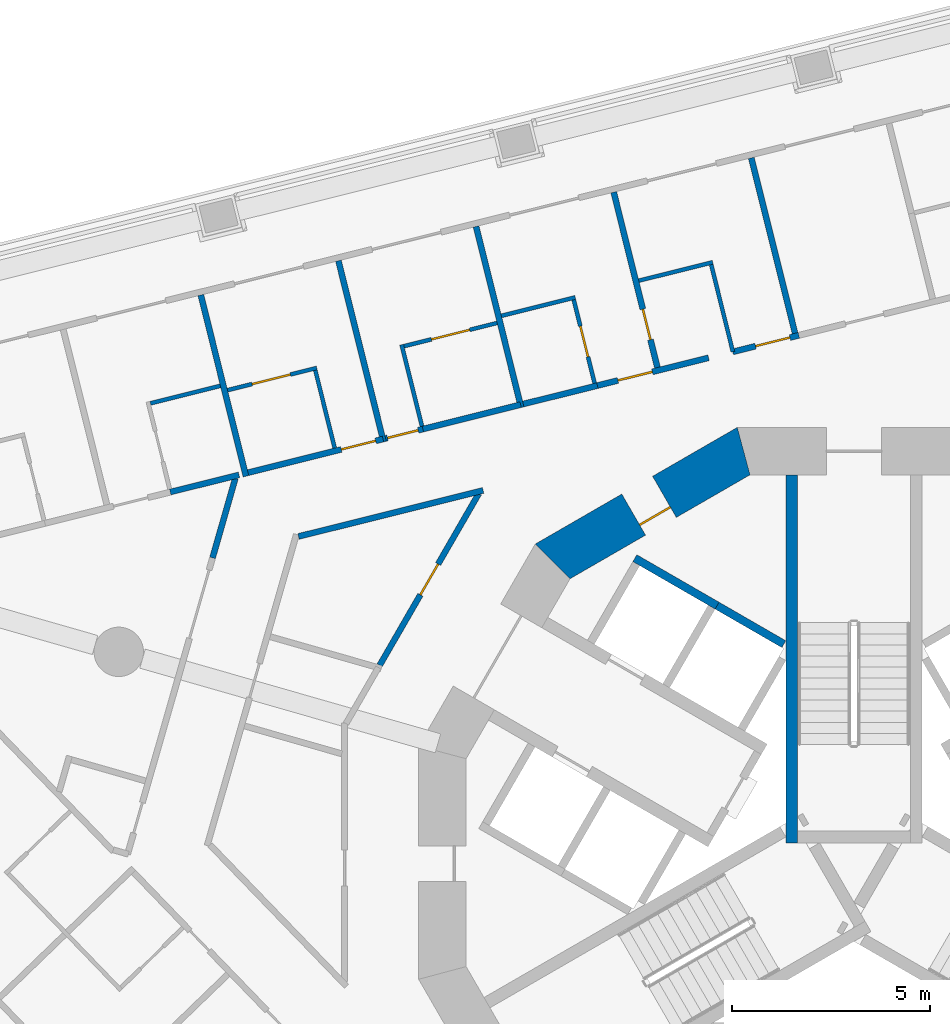
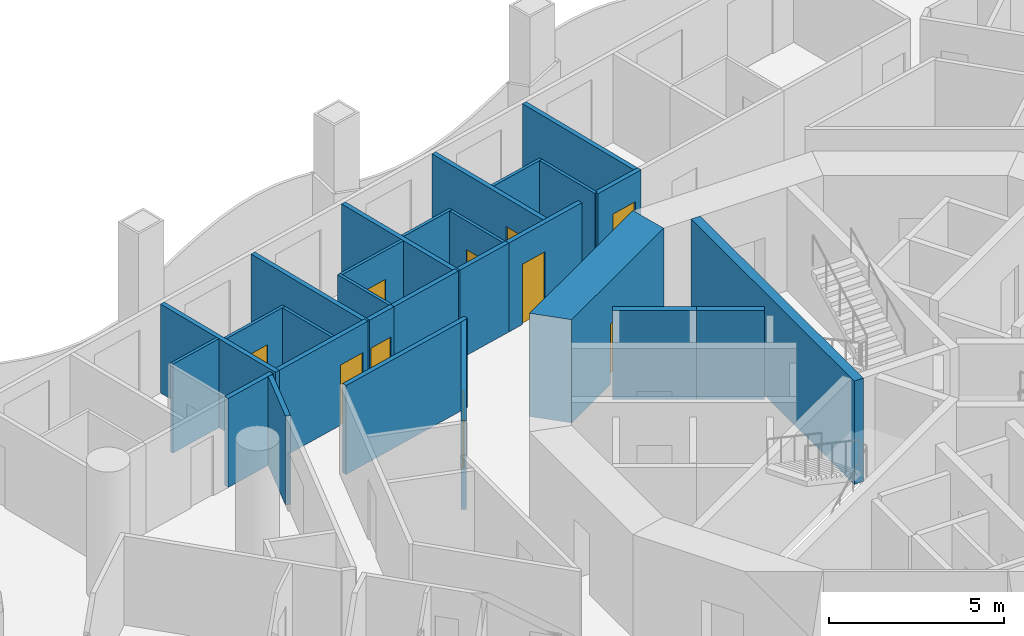
# One storey, part 8 of 20: 28 walls, 10 doors, 10 openings.
"""IFC4 building model written with IfcOpenShell, lengths in metres."""

from ifc_helpers import new_model, si_unit, direction, frame, frame_2d, origin, place, context, subcontext, project, spatial, polyline, rectangle, outline, extrude, material, layer, layer_set, type_object, element, fill, save


model = new_model("IFC4")

# Units and contexts
model_context = context("Model", 3, precision=1e-05, world=origin(), true_north=direction((0.0, 1.0)))
body_context = subcontext(model_context, "Body", "Model", "MODEL_VIEW")
ifc_project = project(units=[si_unit("LENGTHUNIT", "METRE"), si_unit("AREAUNIT", "SQUARE_METRE"), si_unit("VOLUMEUNIT", "CUBIC_METRE"), si_unit("PLANEANGLEUNIT", "RADIAN"), si_unit("MASSUNIT", "GRAM", prefix="KILO")], contexts=[model_context])

# Site, building, storey
site_placement = place(None, origin())
site = spatial("IfcSite", under=ifc_project, at=site_placement, CompositionType="ELEMENT")
building_placement = place(site_placement, origin())
building = spatial("IfcBuilding", under=site, at=building_placement, Name="Trine Commons Tower", CompositionType="ELEMENT")
storey_placement = place(building_placement, frame((0.0, 0.0, 116.10009765625)))
storey = spatial("IfcBuildingStorey", under=building, at=storey_placement, Name="L29", CompositionType="ELEMENT", Elevation=116.10009765625)

# Wall, opening, door
ifc_material_1 = material(Name="Concrete C70/85", Category="concrete")
ifc_layer_1 = layer(ifc_material_1, 1.199951171875)
ifc_layer_set_1 = layer_set([ifc_layer_1], Name="Concrete C70/85")
wall_type_1 = type_object("IfcWallType", Name="RC shear wall 1200 mm, C70/85", PredefinedType="SHEAR", material=ifc_layer_set_1)
wall_1_placement = place(storey_placement, frame((77.349609375, 72.991943359375, 0.0), z_axis=(0.0, 0.0, 1.0), x_axis=(-0.866037463336, -0.499979111662, 0.0)))
wall_1 = element("IfcWall", 1, at=wall_1_placement, inside=storey, type_object=wall_type_1, Name="Core wall CWC-05 L29", PredefinedType="SHEAR", context=body_context, shape_type="SweptSolid", body=[
    extrude(outline(polyline([(0.0, -0.60009765625), (5.901123046875, -0.60009765625), (5.57958984375, 0.60009765625), (0.321533203125, 0.60009765625), (0.0, -0.60009765625)])), origin(), (0.0, 0.0, 1.0), 3.599853515625),
])
opening_1_placement = place(wall_1_placement, frame((2.474853515625, 0.0, 0.0)))
opening_1 = element("IfcOpeningElement", 2, at=opening_1_placement, cuts=wall_1, Name="Opening K04.13", PredefinedType="OPENING", context=body_context, shape_type="SweptSolid", body=[
    extrude(rectangle(XDim=0.89990234375, YDim=2.10009765625, at=frame_2d((0.449951171875, 1.050048828125))), frame((0.0, 0.60986328125, 0.0), z_axis=(0.0, -1.0, 0.0), x_axis=(1.0, 0.0, 0.0)), (0.0, 0.0, 1.0), 1.219970703125),
])
ifc_material_2 = material(Name="Steel door leaf, fire-rated", Category="steel")
door_type_1 = type_object("IfcDoorType", Name="Core room door, single leaf 900 x 2100, FD30S", OperationType="SINGLE_SWING_LEFT", PredefinedType="DOOR", material=ifc_material_2)
door_1_placement = place(opening_1_placement, origin())
door_1 = element("IfcDoor", 3, at=door_1_placement, inside=storey, type_object=door_type_1, Name="Door to Comms room L29", OperationType="SINGLE_SWING_LEFT", OverallHeight=2.10009765625, OverallWidth=0.89990234375, PredefinedType="DOOR", context=body_context, shape_type="SweptSolid", body=[
    extrude(rectangle(XDim=0.89990234375, YDim=2.10009765625, at=frame_2d((0.449951171875, 1.050048828125))), frame((0.0, 0.3251953125, 0.0), z_axis=(0.0, -1.0, 0.0), x_axis=(1.0, 0.0, 0.0)), (0.0, 0.0, 1.0), 0.050048828125),
])
fill(opening_1, door_1)

# Walls
ifc_layer_2 = layer(ifc_material_1, 0.300048828125)
ifc_layer_set_2 = layer_set([ifc_layer_2], Name="Concrete C70/85")
wall_type_2 = type_object("IfcWallType", Name="RC shear wall 300 mm, C70/85", PredefinedType="SHEAR", material=ifc_layer_set_2)
wall_2_placement = place(storey_placement, frame((78.425048828125, 63.0009765625, 0.0), z_axis=(0.0, 0.0, 1.0), x_axis=(0.0, 1.0, 0.0)))
element("IfcWall", 4, at=wall_2_placement, inside=storey, type_object=wall_type_2, Name="Core cross wall SWA-08 L29", PredefinedType="SHEAR", context=body_context, shape_type="SweptSolid", body=[
    extrude(rectangle(XDim=9.31103515625, YDim=0.300048828125, at=frame_2d((4.655517578125, 0.0))), origin(), (0.0, 0.0, 1.0), 3.599853515625),
])
ifc_material_3 = material(Name="Fire-rated gypsum shaft wall system")
ifc_layer_3 = layer(ifc_material_3, 0.199951171875)
ifc_layer_set_3 = layer_set([ifc_layer_3], Name="Fire-rated gypsum shaft wall system")
wall_type_3 = type_object("IfcWallType", Name="Shaft wall 200 mm, EI 120", PredefinedType="PARTITIONING", material=ifc_layer_set_3)
wall_3_placement = place(storey_placement, frame((76.5380859375, 69.001953125, 0.0), z_axis=(0.0, 0.0, 1.0), x_axis=(-0.866202511239, 0.499693115345, 0.0)))
element("IfcWall", 5, at=wall_3_placement, inside=storey, type_object=wall_type_3, Name="Shaft wall L29", PredefinedType="PARTITIONING", context=body_context, shape_type="SweptSolid", body=[
    extrude(rectangle(XDim=2.4013671875, YDim=0.199951171875, at=frame_2d((1.20068359375, 0.0))), origin(), (0.0, 0.0, 1.0), 3.099853515625),
])
wall_4_placement = place(storey_placement, frame((78.22509765625, 68.028076171875, 0.0), z_axis=(0.0, 0.0, 1.0), x_axis=(-0.866052014814, 0.499953905513, 0.0)))
element("IfcWall", 6, at=wall_4_placement, inside=storey, type_object=wall_type_3, Name="Shaft wall L29", PredefinedType="PARTITIONING", context=body_context, shape_type="SweptSolid", body=[
    extrude(rectangle(XDim=1.947998046875, YDim=0.199951171875, at=frame_2d((0.97412109375, 0.0))), origin(), (0.0, 0.0, 1.0), 3.099853515625),
])
ifc_material_4 = material(Name="Gypsum plasterboard on steel stud", Category="steel")
ifc_layer_4 = layer(ifc_material_4, 0.14990234375)
ifc_layer_set_4 = layer_set([ifc_layer_4], Name="Gypsum plasterboard on steel stud")
wall_type_4 = type_object("IfcWallType", Name="Unit and corridor wall 150 mm, EI 60", PredefinedType="PARTITIONING", material=ifc_layer_set_4)
wall_5_placement = place(storey_placement, frame((62.705078125, 71.8759765625, 0.0), z_axis=(0.0, 0.0, 1.0), x_axis=(0.970318656337, 0.241829909573, 0.0)))
element("IfcWall", 7, at=wall_5_placement, inside=storey, type_object=wall_type_4, Name="Partition 021", PredefinedType="PARTITIONING", context=body_context, shape_type="SweptSolid", body=[
    extrude(rectangle(XDim=1.791015625, YDim=0.14990234375, at=frame_2d((0.8955078125, 0.0))), origin(), (0.0, 0.0, 1.0), 3.099853515625),
])
wall_6_placement = place(storey_placement, frame((63.476806640625, 76.858154296875, 0.0), z_axis=(0.0, 0.0, 1.0), x_axis=(0.242049130854, -0.970263994103, 0.0)))
element("IfcWall", 8, at=wall_6_placement, inside=storey, type_object=wall_type_4, Name="Partition 022", PredefinedType="PARTITIONING", context=body_context, shape_type="SweptSolid", body=[
    extrude(rectangle(XDim=4.723388671875, YDim=0.14990234375, at=frame_2d((2.36181640625, 0.0))), origin(), (0.0, 0.0, 1.0), 3.099853515625),
])
wall_7_placement = place(storey_placement, frame((63.77392578125, 70.2099609375, 0.0), z_axis=(0.0, 0.0, 1.0), x_axis=(0.275353680299, 0.961342993289, 0.0)))
element("IfcWall", 9, at=wall_7_placement, inside=storey, type_object=wall_type_4, Name="Partition 025", PredefinedType="PARTITIONING", context=body_context, shape_type="SweptSolid", body=[
    extrude(rectangle(XDim=2.08984375, YDim=0.14990234375, at=frame_2d((1.044921875, 0.0))), origin(), (0.0, 0.0, 1.0), 3.099853515625),
])

# Wall, opening, door
wall_8_placement = place(storey_placement, frame((64.6708984375, 72.3662109375, 0.0), z_axis=(0.0, 0.0, 1.0), x_axis=(0.97035426046, 0.241687006697, 0.0)))
wall_8 = element("IfcWall", 10, at=wall_8_placement, inside=storey, type_object=wall_type_4, Name="Partition 028", PredefinedType="PARTITIONING", context=body_context, shape_type="SweptSolid", body=[
    extrude(rectangle(XDim=3.520263671875, YDim=0.14990234375, at=frame_2d((1.76025390625, 0.0))), origin(), (0.0, 0.0, 1.0), 3.099853515625),
])
opening_2_placement = place(wall_8_placement, frame((2.429931640625, 0.0, 0.0)))
opening_2 = element("IfcOpeningElement", 11, at=opening_2_placement, cuts=wall_8, Name="Opening D-3C09", PredefinedType="OPENING", context=body_context, shape_type="SweptSolid", body=[
    extrude(rectangle(XDim=0.89990234375, YDim=2.10009765625, at=frame_2d((0.449951171875, 1.050048828125))), frame((0.0, 0.0849609375, 0.0), z_axis=(0.0, -1.0, 0.0), x_axis=(1.0, 0.0, 0.0)), (0.0, 0.0, 1.0), 0.169921875),
])
ifc_material_5 = material(Name="Timber fire door set", Category="wood")
door_type_2 = type_object("IfcDoorType", Name="Bedroom door 900 x 2100, FD30S", OperationType="NOTDEFINED", PredefinedType="DOOR", material=ifc_material_5)
door_2_placement = place(opening_2_placement, origin())
door_2 = element("IfcDoor", 12, at=door_2_placement, inside=storey, type_object=door_type_2, Name="Door D-3C09", OperationType="SINGLE_SWING_RIGHT", OverallHeight=2.10009765625, OverallWidth=0.89990234375, PredefinedType="DOOR", context=body_context, shape_type="SweptSolid", body=[
    extrude(rectangle(XDim=0.89990234375, YDim=2.10009765625, at=frame_2d((0.449951171875, 1.050048828125))), frame((0.0, 0.02490234375, 0.0), z_axis=(0.0, -1.0, 0.0), x_axis=(1.0, 0.0, 0.0)), (0.0, 0.0, 1.0), 0.050048828125),
])
fill(opening_2, door_2)

# Walls
wall_9_placement = place(storey_placement, frame((65.94677734375, 70.751220703125, 0.0), z_axis=(0.0, 0.0, 1.0), x_axis=(0.970300367674, 0.241903279206, 0.0)))
element("IfcWall", 13, at=wall_9_placement, inside=storey, type_object=wall_type_4, Name="Partition 031", PredefinedType="PARTITIONING", context=body_context, shape_type="SweptSolid", body=[
    extrude(rectangle(XDim=4.815185546875, YDim=0.14990234375, at=frame_2d((2.40771484375, 0.0))), origin(), (0.0, 0.0, 1.0), 3.099853515625),
])
wall_10_placement = place(storey_placement, frame((66.958740234375, 77.726318359375, 0.0), z_axis=(0.0, 0.0, 1.0), x_axis=(0.24185448203, -0.970312531879, 0.0)))
element("IfcWall", 14, at=wall_10_placement, inside=storey, type_object=wall_type_4, Name="Partition 036", PredefinedType="PARTITIONING", context=body_context, shape_type="SweptSolid", body=[
    extrude(rectangle(XDim=4.72314453125, YDim=0.14990234375, at=frame_2d((2.361572265625, 0.0))), origin(), (0.0, 0.0, 1.0), 3.099853515625),
])

# Wall, opening, door
wall_11_placement = place(storey_placement, frame((68.00244140625, 67.493896484375, 0.0), z_axis=(0.0, 0.0, 1.0), x_axis=(0.499945814907, 0.866056685303, 0.0)))
wall_11 = element("IfcWall", 15, at=wall_11_placement, inside=storey, type_object=wall_type_4, Name="Partition 040", PredefinedType="PARTITIONING", context=body_context, shape_type="SweptSolid", body=[
    extrude(rectangle(XDim=5.0146484375, YDim=0.14990234375, at=frame_2d((2.50732421875, 0.0))), origin(), (0.0, 0.0, 1.0), 3.099853515625),
])
opening_3_placement = place(wall_11_placement, frame((2.057373046875, 0.0, 0.0)))
opening_3 = element("IfcOpeningElement", 16, at=opening_3_placement, cuts=wall_11, Name="Opening D-3C39", PredefinedType="OPENING", context=body_context, shape_type="SweptSolid", body=[
    extrude(rectangle(XDim=0.89990234375, YDim=2.10009765625, at=frame_2d((0.449951171875, 1.050048828125))), frame((0.0, 0.0849609375, 0.0), z_axis=(0.0, -1.0, 0.0), x_axis=(1.0, 0.0, 0.0)), (0.0, 0.0, 1.0), 0.169921875),
])
door_type_3 = type_object("IfcDoorType", Name="Service door 900 x 2100, FD30S", OperationType="NOTDEFINED", PredefinedType="DOOR", material=ifc_material_5)
door_3_placement = place(opening_3_placement, origin())
door_3 = element("IfcDoor", 17, at=door_3_placement, inside=storey, type_object=door_type_3, Name="Door D-3C39", OperationType="SINGLE_SWING_LEFT", OverallHeight=2.10009765625, OverallWidth=0.89990234375, PredefinedType="DOOR", context=body_context, shape_type="SweptSolid", body=[
    extrude(rectangle(XDim=0.89990234375, YDim=2.10009765625, at=frame_2d((0.449951171875, 1.050048828125))), frame((0.0, 0.02490234375, 0.0), z_axis=(0.0, -1.0, 0.0), x_axis=(1.0, 0.0, 0.0)), (0.0, 0.0, 1.0), 0.050048828125),
])
fill(opening_3, door_3)

wall_12_placement = place(storey_placement, frame((68.15185546875, 73.233154296875, 0.0), z_axis=(0.0, 0.0, 1.0), x_axis=(0.970127725802, 0.242594714762, 0.0)))
wall_12 = element("IfcWall", 18, at=wall_12_placement, inside=storey, type_object=wall_type_4, Name="Partition 041", PredefinedType="PARTITIONING", context=body_context, shape_type="SweptSolid", body=[
    extrude(rectangle(XDim=0.97216796875, YDim=0.14990234375, at=frame_2d((0.486083984375, 0.0))), origin(), (0.0, 0.0, 1.0), 3.099853515625),
])
opening_4_placement = place(wall_12_placement, frame((0.050048828125, 0.0, 0.0)))
opening_4 = element("IfcOpeningElement", 19, at=opening_4_placement, cuts=wall_12, Name="Opening D-3C10", PredefinedType="OPENING", context=body_context, shape_type="SweptSolid", body=[
    extrude(rectangle(XDim=0.800048828125, YDim=2.10009765625, at=frame_2d((0.39990234375, 1.050048828125))), frame((0.0, 0.0849609375, 0.0), z_axis=(0.0, -1.0, 0.0), x_axis=(1.0, 0.0, 0.0)), (0.0, 0.0, 1.0), 0.169921875),
])
door_type_4 = type_object("IfcDoorType", Name="Bedroom door 800 x 2100, FD30S", OperationType="NOTDEFINED", PredefinedType="DOOR", material=ifc_material_5)
door_4_placement = place(opening_4_placement, origin())
door_4 = element("IfcDoor", 20, at=door_4_placement, inside=storey, type_object=door_type_4, Name="Door D-3C10", OperationType="SINGLE_SWING_LEFT", OverallHeight=2.10009765625, OverallWidth=0.800048828125, PredefinedType="DOOR", context=body_context, shape_type="SweptSolid", body=[
    extrude(rectangle(XDim=0.800048828125, YDim=2.10009765625, at=frame_2d((0.39990234375, 1.050048828125))), frame((0.0, 0.02490234375, 0.0), z_axis=(0.0, -1.0, 0.0), x_axis=(1.0, 0.0, 0.0)), (0.0, 0.0, 1.0), 0.050048828125),
])
fill(opening_4, door_4)

# Walls
wall_13_placement = place(storey_placement, frame((69.0869140625, 73.467041015625, 0.0), z_axis=(0.0, 0.0, 1.0), x_axis=(0.970293884901, 0.241929280832, 0.0)))
element("IfcWall", 21, at=wall_13_placement, inside=storey, type_object=wall_type_4, Name="Partition 045", PredefinedType="PARTITIONING", context=body_context, shape_type="SweptSolid", body=[
    extrude(rectangle(XDim=2.55810546875, YDim=0.14990234375, at=frame_2d((1.279052734375, 0.0))), origin(), (0.0, 0.0, 1.0), 3.099853515625),
])
wall_14_placement = place(storey_placement, frame((70.440673828125, 78.59423828125, 0.0), z_axis=(0.0, 0.0, 1.0), x_axis=(0.241903012142, -0.970300434256, 0.0)))
element("IfcWall", 22, at=wall_14_placement, inside=storey, type_object=wall_type_4, Name="Partition 047", PredefinedType="PARTITIONING", context=body_context, shape_type="SweptSolid", body=[
    extrude(rectangle(XDim=4.72216796875, YDim=0.14990234375, at=frame_2d((2.361083984375, 0.0))), origin(), (0.0, 0.0, 1.0), 3.099853515625),
])
wall_15_placement = place(storey_placement, frame((71.6337890625, 74.10205078125, 0.0), z_axis=(0.0, 0.0, 1.0), x_axis=(0.970372376743, 0.241614259626, 0.0)))
element("IfcWall", 23, at=wall_15_placement, inside=storey, type_object=wall_type_4, Name="Partition 051", PredefinedType="PARTITIONING", context=body_context, shape_type="SweptSolid", body=[
    extrude(rectangle(XDim=1.93310546875, YDim=0.14990234375, at=frame_2d((0.966552734375, 0.0))), origin(), (0.0, 0.0, 1.0), 3.099853515625),
])

# Wall, opening, door
wall_16_placement = place(storey_placement, frame((73.452880859375, 74.555908203125, 0.0), z_axis=(0.0, 0.0, 1.0), x_axis=(0.97031709396, 0.24183617837, 0.0)))
wall_16 = element("IfcWall", 24, at=wall_16_placement, inside=storey, type_object=wall_type_4, Name="Partition 053", PredefinedType="PARTITIONING", context=body_context, shape_type="SweptSolid", body=[
    extrude(rectangle(XDim=2.95703125, YDim=0.14990234375, at=frame_2d((1.478515625, 0.0))), origin(), (0.0, 0.0, 1.0), 3.099853515625),
])
opening_5_placement = place(wall_16_placement, frame((0.591796875, 0.0, 0.0)))
opening_5 = element("IfcOpeningElement", 25, at=opening_5_placement, cuts=wall_16, Name="Opening D-3C11", PredefinedType="OPENING", context=body_context, shape_type="SweptSolid", body=[
    extrude(rectangle(XDim=0.89990234375, YDim=2.10009765625, at=frame_2d((0.449951171875, 1.050048828125))), frame((0.0, 0.0849609375, 0.0), z_axis=(0.0, -1.0, 0.0), x_axis=(1.0, 0.0, 0.0)), (0.0, 0.0, 1.0), 0.169921875),
])
door_5_placement = place(opening_5_placement, origin())
door_5 = element("IfcDoor", 26, at=door_5_placement, inside=storey, type_object=door_type_2, Name="Door D-3C11", OperationType="SINGLE_SWING_LEFT", OverallHeight=2.10009765625, OverallWidth=0.89990234375, PredefinedType="DOOR", context=body_context, shape_type="SweptSolid", body=[
    extrude(rectangle(XDim=0.89990234375, YDim=2.10009765625, at=frame_2d((0.449951171875, 1.050048828125))), frame((0.0, 0.02490234375, 0.0), z_axis=(0.0, -1.0, 0.0), x_axis=(1.0, 0.0, 0.0)), (0.0, 0.0, 1.0), 0.050048828125),
])
fill(opening_5, door_5)

wall_17_placement = place(storey_placement, frame((73.921630859375, 79.462158203125, 0.0), z_axis=(0.0, 0.0, 1.0), x_axis=(0.241945064156, -0.970289949412, 0.0)))
wall_17 = element("IfcWall", 27, at=wall_17_placement, inside=storey, type_object=wall_type_4, Name="Partition 054", PredefinedType="PARTITIONING", context=body_context, shape_type="SweptSolid", body=[
    extrude(rectangle(XDim=4.572021484375, YDim=0.14990234375, at=frame_2d((2.2861328125, 0.0))), origin(), (0.0, 0.0, 1.0), 3.099853515625),
])
opening_6_placement = place(wall_17_placement, frame((3.04931640625, 0.0, 0.0)))
opening_6 = element("IfcOpeningElement", 28, at=opening_6_placement, cuts=wall_17, Name="Opening D-3C48", PredefinedType="OPENING", context=body_context, shape_type="SweptSolid", body=[
    extrude(rectangle(XDim=0.800048828125, YDim=2.10009765625, at=frame_2d((0.39990234375, 1.050048828125))), frame((0.0, 0.0849609375, 0.0), z_axis=(0.0, -1.0, 0.0), x_axis=(1.0, 0.0, 0.0)), (0.0, 0.0, 1.0), 0.169921875),
])
ifc_material_6 = material(Name="Painted timber", Category="wood")
door_type_5 = type_object("IfcDoorType", Name="Internal door 800 x 2100, NOT RATED", OperationType="NOTDEFINED", PredefinedType="DOOR", material=ifc_material_6)
door_6_placement = place(opening_6_placement, frame((0.800048828125, 0.0, 0.0), z_axis=(0.0, 0.0, 1.0), x_axis=(-1.0, 0.0, 0.0)))
door_6 = element("IfcDoor", 29, at=door_6_placement, inside=storey, type_object=door_type_5, Name="Door D-3C48", OperationType="SINGLE_SWING_LEFT", OverallHeight=2.10009765625, OverallWidth=0.800048828125, PredefinedType="DOOR", context=body_context, shape_type="SweptSolid", body=[
    extrude(rectangle(XDim=0.800048828125, YDim=2.10009765625, at=frame_2d((0.39990234375, 1.050048828125))), frame((0.0, 0.02490234375, 0.0), z_axis=(0.0, -1.0, 0.0), x_axis=(1.0, 0.0, 0.0)), (0.0, 0.0, 1.0), 0.050048828125),
])
fill(opening_6, door_6)

wall_18_placement = place(storey_placement, frame((76.93408203125, 75.423095703125, 0.0), z_axis=(0.0, 0.0, 1.0), x_axis=(0.970234173919, 0.242168634963, 0.0)))
wall_18 = element("IfcWall", 30, at=wall_18_placement, inside=storey, type_object=wall_type_4, Name="Partition 062", PredefinedType="PARTITIONING", context=body_context, shape_type="SweptSolid", body=[
    extrude(rectangle(XDim=1.721923828125, YDim=0.14990234375, at=frame_2d((0.86083984375, 0.0))), origin(), (0.0, 0.0, 1.0), 3.099853515625),
])
opening_7_placement = place(wall_18_placement, frame((0.593017578125, 0.0, 0.0)))
opening_7 = element("IfcOpeningElement", 31, at=opening_7_placement, cuts=wall_18, Name="Opening D-3C12", PredefinedType="OPENING", context=body_context, shape_type="SweptSolid", body=[
    extrude(rectangle(XDim=0.89990234375, YDim=2.10009765625, at=frame_2d((0.449951171875, 1.050048828125))), frame((0.0, 0.0849609375, 0.0), z_axis=(0.0, -1.0, 0.0), x_axis=(1.0, 0.0, 0.0)), (0.0, 0.0, 1.0), 0.169921875),
])
door_7_placement = place(opening_7_placement, origin())
door_7 = element("IfcDoor", 32, at=door_7_placement, inside=storey, type_object=door_type_2, Name="Door D-3C12", OperationType="SINGLE_SWING_RIGHT", OverallHeight=2.10009765625, OverallWidth=0.89990234375, PredefinedType="DOOR", context=body_context, shape_type="SweptSolid", body=[
    extrude(rectangle(XDim=0.89990234375, YDim=2.10009765625, at=frame_2d((0.449951171875, 1.050048828125))), frame((0.0, 0.02490234375, 0.0), z_axis=(0.0, -1.0, 0.0), x_axis=(1.0, 0.0, 0.0)), (0.0, 0.0, 1.0), 0.050048828125),
])
fill(opening_7, door_7)

# Walls
wall_19_placement = place(storey_placement, frame((77.40380859375, 80.330078125, 0.0), z_axis=(0.0, 0.0, 1.0), x_axis=(0.241945064156, -0.970289949412, 0.0)))
element("IfcWall", 33, at=wall_19_placement, inside=storey, type_object=wall_type_4, Name="Partition 063", PredefinedType="PARTITIONING", context=body_context, shape_type="SweptSolid", body=[
    extrude(rectangle(XDim=4.572021484375, YDim=0.14990234375, at=frame_2d((2.2861328125, 0.0))), origin(), (0.0, 0.0, 1.0), 3.099853515625),
])
ifc_layer_5 = layer(ifc_material_4, 0.10009765625)
ifc_layer_set_5 = layer_set([ifc_layer_5], Name="Gypsum plasterboard on steel stud")
wall_type_5 = type_object("IfcWallType", Name="Unit partition 100 mm, no rating", PredefinedType="PARTITIONING", material=ifc_layer_set_5)
wall_20_placement = place(storey_placement, frame((62.201416015625, 74.1201171875, 0.0), z_axis=(0.0, 0.0, 1.0), x_axis=(0.970276128406, 0.242000484804, 0.0)))
element("IfcWall", 34, at=wall_20_placement, inside=storey, type_object=wall_type_5, Name="Partition 020", PredefinedType="PARTITIONING", context=body_context, shape_type="SweptSolid", body=[
    extrude(rectangle(XDim=1.824951171875, YDim=0.10009765625, at=frame_2d((0.91259765625, 0.0))), origin(), (0.0, 0.0, 1.0), 3.099853515625),
])

# Wall, opening, door
wall_21_placement = place(storey_placement, frame((64.15380859375, 74.453125, 0.0), z_axis=(0.0, 0.0, 1.0), x_axis=(0.970358256462, 0.241670962499, 0.0)))
wall_21 = element("IfcWall", 35, at=wall_21_placement, inside=storey, type_object=wall_type_5, Name="Partition 026", PredefinedType="PARTITIONING", context=body_context, shape_type="SweptSolid", body=[
    extrude(rectangle(XDim=2.325439453125, YDim=0.10009765625, at=frame_2d((1.16259765625, 0.0))), origin(), (0.0, 0.0, 1.0), 3.099853515625),
])
opening_8_placement = place(wall_21_placement, frame((0.6376953125, 0.0, 0.0)))
opening_8 = element("IfcOpeningElement", 36, at=opening_8_placement, cuts=wall_21, Name="Opening D-3C45", PredefinedType="OPENING", context=body_context, shape_type="SweptSolid", body=[
    extrude(rectangle(XDim=1.0, YDim=2.10009765625, at=frame_2d((0.5, 1.050048828125))), frame((0.0, 0.06005859375, 0.0), z_axis=(0.0, -1.0, 0.0), x_axis=(1.0, 0.0, 0.0)), (0.0, 0.0, 1.0), 0.1201171875),
])
door_type_6 = type_object("IfcDoorType", Name="Internal door 1000 x 2100, NOT RATED", OperationType="NOTDEFINED", PredefinedType="DOOR", material=ifc_material_6)
door_8_placement = place(opening_8_placement, origin())
door_8 = element("IfcDoor", 37, at=door_8_placement, inside=storey, type_object=door_type_6, Name="Door D-3C45", OperationType="SINGLE_SWING_LEFT", OverallHeight=2.10009765625, OverallWidth=1.0, PredefinedType="DOOR", context=body_context, shape_type="SweptSolid", body=[
    extrude(rectangle(XDim=1.0, YDim=2.10009765625, at=frame_2d((0.5, 1.050048828125))), frame((0.0, 0.02490234375, 0.0), z_axis=(0.0, -1.0, 0.0), x_axis=(1.0, 0.0, 0.0)), (0.0, 0.0, 1.0), 0.050048828125),
])
fill(opening_8, door_8)

# Walls
wall_22_placement = place(storey_placement, frame((66.3740234375, 74.95458984375, 0.0), z_axis=(0.0, 0.0, 1.0), x_axis=(0.241968232274, -0.97028417207, 0.0)))
element("IfcWall", 38, at=wall_22_placement, inside=storey, type_object=wall_type_5, Name="Partition 034", PredefinedType="PARTITIONING", context=body_context, shape_type="SweptSolid", body=[
    extrude(rectangle(XDim=2.02490234375, YDim=0.10009765625, at=frame_2d((1.012451171875, 0.0))), origin(), (0.0, 0.0, 1.0), 3.099853515625),
])
wall_23_placement = place(storey_placement, frame((68.557861328125, 75.6025390625, 0.0), z_axis=(0.0, 0.0, 1.0), x_axis=(0.242292331662, -0.970203291078, 0.0)))
element("IfcWall", 39, at=wall_23_placement, inside=storey, type_object=wall_type_5, Name="Partition 043", PredefinedType="PARTITIONING", context=body_context, shape_type="SweptSolid", body=[
    extrude(rectangle(XDim=2.125, YDim=0.10009765625, at=frame_2d((1.0625, 0.0))), origin(), (0.0, 0.0, 1.0), 3.099853515625),
])

# Wall, opening, door
wall_24_placement = place(storey_placement, frame((68.618408203125, 75.566162109375, 0.0), z_axis=(0.0, 0.0, 1.0), x_axis=(0.970313944808, 0.241848813336, 0.0)))
wall_24 = element("IfcWall", 40, at=wall_24_placement, inside=storey, type_object=wall_type_5, Name="Partition 044", PredefinedType="PARTITIONING", context=body_context, shape_type="SweptSolid", body=[
    extrude(rectangle(XDim=2.42578125, YDim=0.10009765625, at=frame_2d((1.212890625, 0.0))), origin(), (0.0, 0.0, 1.0), 3.099853515625),
])
opening_9_placement = place(wall_24_placement, frame((0.712890625, 0.0, 0.0)))
opening_9 = element("IfcOpeningElement", 41, at=opening_9_placement, cuts=wall_24, Name="Opening D-3C46", PredefinedType="OPENING", context=body_context, shape_type="SweptSolid", body=[
    extrude(rectangle(XDim=1.0, YDim=2.10009765625, at=frame_2d((0.5, 1.050048828125))), frame((0.0, 0.06005859375, 0.0), z_axis=(0.0, -1.0, 0.0), x_axis=(1.0, 0.0, 0.0)), (0.0, 0.0, 1.0), 0.1201171875),
])
door_9_placement = place(opening_9_placement, origin())
door_9 = element("IfcDoor", 42, at=door_9_placement, inside=storey, type_object=door_type_6, Name="Door D-3C46", OperationType="SINGLE_SWING_RIGHT", OverallHeight=2.10009765625, OverallWidth=1.0, PredefinedType="DOOR", context=body_context, shape_type="SweptSolid", body=[
    extrude(rectangle(XDim=1.0, YDim=2.10009765625, at=frame_2d((0.5, 1.050048828125))), frame((0.0, 0.02490234375, 0.0), z_axis=(0.0, -1.0, 0.0), x_axis=(1.0, 0.0, 0.0)), (0.0, 0.0, 1.0), 0.050048828125),
])
fill(opening_9, door_9)

# Wall
wall_25_placement = place(storey_placement, frame((71.080810546875, 76.334228515625, 0.0), z_axis=(0.0, 0.0, 1.0), x_axis=(0.970276645771, 0.241998410475, 0.0)))
element("IfcWall", 43, at=wall_25_placement, inside=storey, type_object=wall_type_5, Name="Partition 049", PredefinedType="PARTITIONING", context=body_context, shape_type="SweptSolid", body=[
    extrude(rectangle(XDim=1.9248046875, YDim=0.10009765625, at=frame_2d((0.96240234375, 0.0))), origin(), (0.0, 0.0, 1.0), 3.099853515625),
])

# Wall, opening, door
wall_26_placement = place(storey_placement, frame((72.912109375, 76.739501953125, 0.0), z_axis=(0.0, 0.0, 1.0), x_axis=(0.242086666909, -0.970254629314, 0.0)))
wall_26 = element("IfcWall", 44, at=wall_26_placement, inside=storey, type_object=wall_type_5, Name="Partition 052", PredefinedType="PARTITIONING", context=body_context, shape_type="SweptSolid", body=[
    extrude(rectangle(XDim=2.17529296875, YDim=0.10009765625, at=frame_2d((1.087646484375, 0.0))), origin(), (0.0, 0.0, 1.0), 3.099853515625),
])
opening_10_placement = place(wall_26_placement, frame((0.687744140625, 0.0, 0.0)))
opening_10 = element("IfcOpeningElement", 45, at=opening_10_placement, cuts=wall_26, Name="Opening D-3C47", PredefinedType="OPENING", context=body_context, shape_type="SweptSolid", body=[
    extrude(rectangle(XDim=0.800048828125, YDim=2.10009765625, at=frame_2d((0.39990234375, 1.050048828125))), frame((0.0, 0.06005859375, 0.0), z_axis=(0.0, -1.0, 0.0), x_axis=(1.0, 0.0, 0.0)), (0.0, 0.0, 1.0), 0.1201171875),
])
door_10_placement = place(opening_10_placement, origin())
door_10 = element("IfcDoor", 46, at=door_10_placement, inside=storey, type_object=door_type_5, Name="Door D-3C47", OperationType="SINGLE_SWING_RIGHT", OverallHeight=2.10009765625, OverallWidth=0.800048828125, PredefinedType="DOOR", context=body_context, shape_type="SweptSolid", body=[
    extrude(rectangle(XDim=0.800048828125, YDim=2.10009765625, at=frame_2d((0.39990234375, 1.050048828125))), frame((0.0, 0.02490234375, 0.0), z_axis=(0.0, -1.0, 0.0), x_axis=(1.0, 0.0, 0.0)), (0.0, 0.0, 1.0), 0.050048828125),
])
fill(opening_10, door_10)

# Walls
wall_27_placement = place(storey_placement, frame((74.557861328125, 77.22314453125, 0.0), z_axis=(0.0, 0.0, 1.0), x_axis=(0.97039566761, 0.241520699494, 0.0)))
element("IfcWall", 47, at=wall_27_placement, inside=storey, type_object=wall_type_5, Name="Partition 055", PredefinedType="PARTITIONING", context=body_context, shape_type="SweptSolid", body=[
    extrude(rectangle(XDim=1.924560546875, YDim=0.10009765625, at=frame_2d((0.96240234375, 0.0))), origin(), (0.0, 0.0, 1.0), 3.099853515625),
])
wall_28_placement = place(storey_placement, frame((76.38916015625, 77.62744140625, 0.0), z_axis=(0.0, 0.0, 1.0), x_axis=(0.24170068881, -0.970350852542, 0.0)))
element("IfcWall", 48, at=wall_28_placement, inside=storey, type_object=wall_type_5, Name="Partition 059", PredefinedType="PARTITIONING", context=body_context, shape_type="SweptSolid", body=[
    extrude(rectangle(XDim=2.270751953125, YDim=0.10009765625, at=frame_2d((1.13525390625, 0.0))), origin(), (0.0, 0.0, 1.0), 3.099853515625),
])

save(model, "model.ifc")
